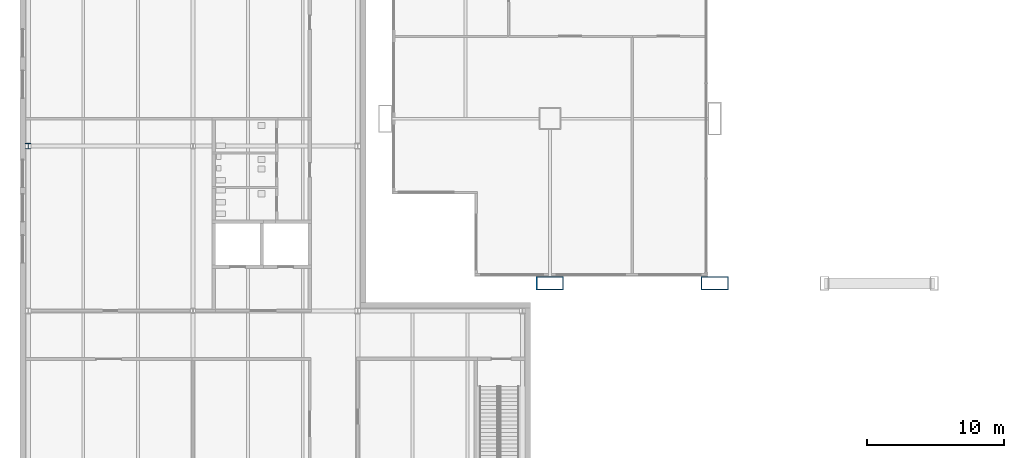
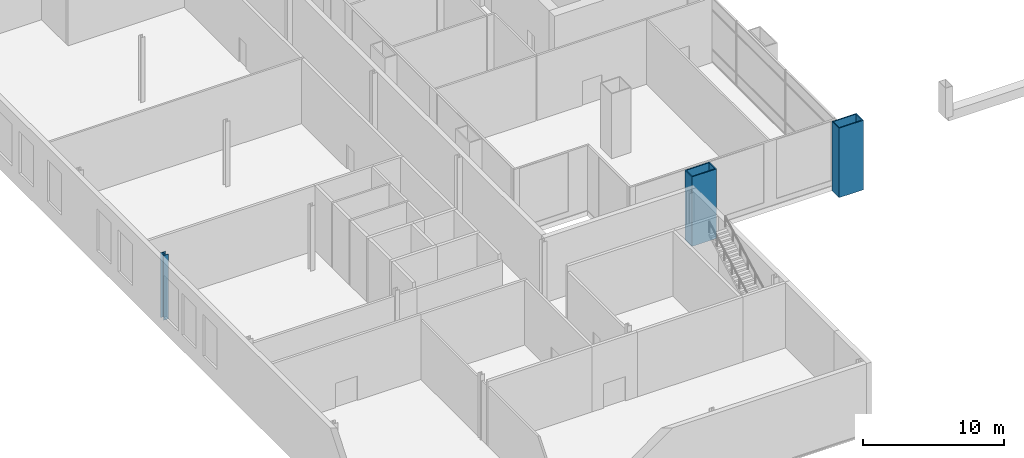
# One storey, part 2 of 25: 3 columns.
"""IFC4 building model written with IfcOpenShell, lengths in metres."""

from ifc_helpers import new_model, si_unit, direction, frame, origin, origin_2d, place, context, subcontext, project, spatial, hollow_rectangle, i_section, extrude, material, material_profile, profile_set, type_object, element, save


model = new_model("IFC4")

# Units and contexts
model_context = context("Model", 3, precision=1e-05, world=origin(), true_north=direction((0.0, 1.0)))
body_context = subcontext(model_context, "Body", "Model", "MODEL_VIEW")
ifc_project = project(units=[si_unit("LENGTHUNIT", "METRE"), si_unit("AREAUNIT", "SQUARE_METRE"), si_unit("VOLUMEUNIT", "CUBIC_METRE"), si_unit("PLANEANGLEUNIT", "RADIAN"), si_unit("MASSUNIT", "GRAM", prefix="KILO")], contexts=[model_context])

# Site, building, storey
site_placement = place(None, origin())
site = spatial("IfcSite", under=ifc_project, at=site_placement, CompositionType="ELEMENT")
building_placement = place(site_placement, origin())
building = spatial("IfcBuilding", under=site, at=building_placement, Name="Kitamizu Gate Tower and Museum", CompositionType="ELEMENT")
storey_placement = place(building_placement, frame((0.0, 0.0, 18.0)))
storey = spatial("IfcBuildingStorey", under=building, at=storey_placement, Name="L03", CompositionType="ELEMENT", Elevation=18.0)

# Columns
ifc_material_1 = material(Name="Steel SS400", Category="steel")
ifc_material_profile_1 = material_profile(ifc_material_1, i_section(OverallWidth=0.39990234375, OverallDepth=0.39990234375, WebThickness=0.012939453125, FlangeThickness=0.02099609375, FilletRadius=0.02197265625, at=origin_2d()), Name="H-400x400x13x21")
ifc_profile_set_1 = profile_set([ifc_material_profile_1], Name="Steel SS400")
column_type_1 = type_object("IfcColumnType", Name="Museum perimeter column H 400x400x13x21", PredefinedType="COLUMN", material=ifc_profile_set_1)
column_placement = place(storey_placement, frame((-26.0, 10.0, 0.0), z_axis=(0.0, 0.0, 1.0), x_axis=(1.0, 0.0, 0.0)))
element("IfcColumn", 1, at=column_placement, inside=storey, type_object=column_type_1, Name="Column M1MD", PredefinedType="COLUMN", context=body_context, shape_type="SweptSolid", body=[
    extrude(i_section(OverallWidth=0.39990234375, OverallDepth=0.39990234375, WebThickness=0.012939453125, FlangeThickness=0.02099609375, FilletRadius=0.02197265625, at=origin_2d()), origin(), (0.0, 0.0, 1.0), 5.60009765625),
])
ifc_material_2 = material(Name="Steel SM490A bronze coated", Category="steel")
ifc_material_profile_2 = material_profile(ifc_material_2, hollow_rectangle(XDim=2.0, YDim=1.0, WallThickness=0.080078125, at=origin_2d()), Name="BOX 2000x1000x80")
ifc_profile_set_2 = profile_set([ifc_material_profile_2], Name="Steel SM490A bronze coated")
column_type_2 = type_object("IfcColumnType", Name="Podium leg column LC1 BOX 2000x1000x80", PredefinedType="COLUMN", material=ifc_profile_set_2)
for number, where, z_axis, x_axis, name in (
    (2, (12.0, 0.0, -0.39990234375), (0.0, 0.0, 1.0), (1.0, 0.0, 0.0), "Column LC1 2A L03"),
    (3, (24.0, 0.0, -0.39990234375), (0.0, 0.0, 1.0), (1.0, 0.0, 0.0), "Column LC1 3A L03"),
):
    element("IfcColumn", number, at=place(storey_placement, frame(where, z_axis=z_axis, x_axis=x_axis)), inside=storey, type_object=column_type_2, Name=name, PredefinedType="COLUMN", context=body_context, shape_type="SweptSolid", body=[
        extrude(hollow_rectangle(XDim=2.0, YDim=1.0, WallThickness=0.080078125, at=origin_2d()), origin(), (0.0, 0.0, 1.0), 6.0),
    ])

save(model, "model.ifc")
